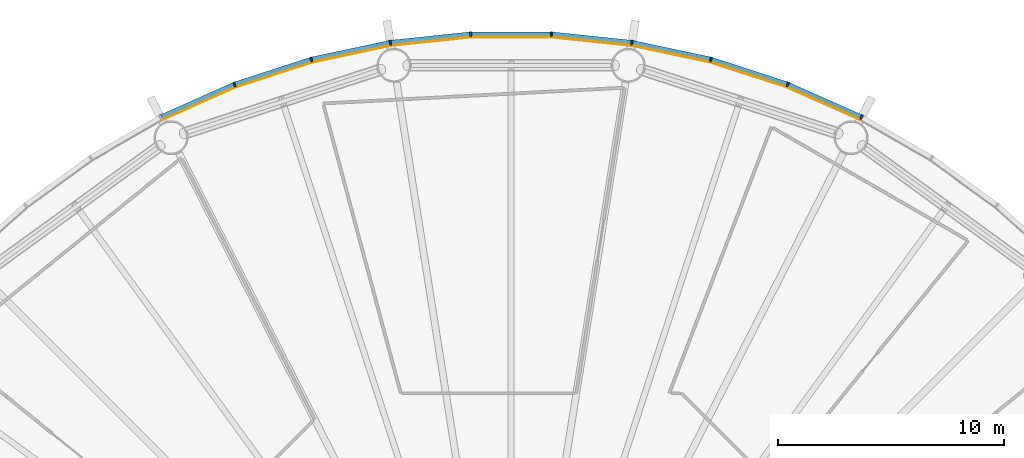
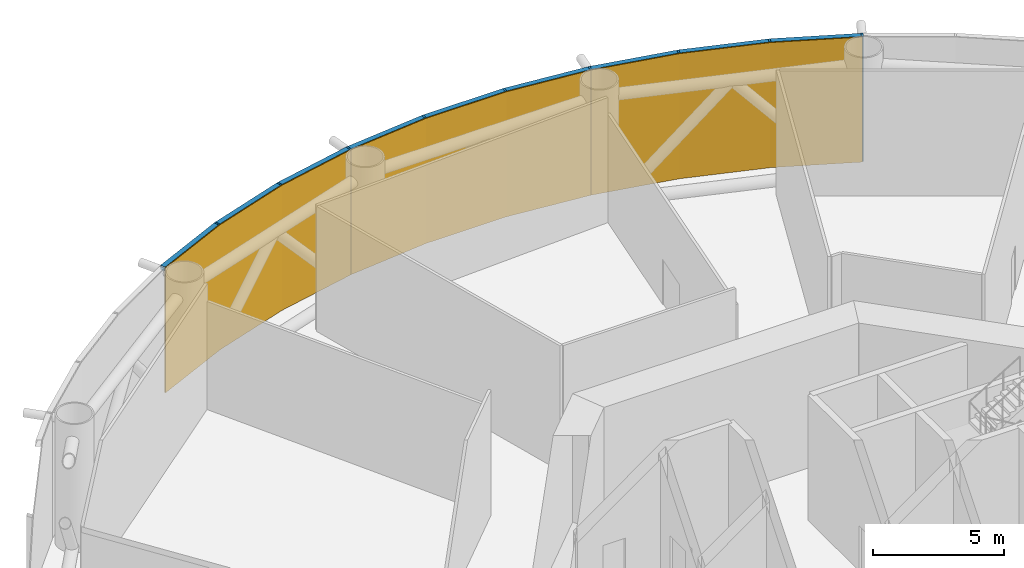
# One storey, part 13 of 14: 18 members, 3 curtain walls.
"""IFC4 building model written with IfcOpenShell, lengths in metres."""

from ifc_helpers import new_model, si_unit, direction, frame, origin, origin_2d, place, context, subcontext, project, spatial, polyline, rectangle, outline, extrude, material, layer, layer_set, material_profile, profile_set, type_object, element, aggregate, save


model = new_model("IFC4")

# Units and contexts
model_context = context("Model", 3, precision=1e-05, world=origin(), true_north=direction((0.0, 1.0)))
body_context = subcontext(model_context, "Body", "Model", "MODEL_VIEW")
ifc_project = project(units=[si_unit("LENGTHUNIT", "METRE"), si_unit("AREAUNIT", "SQUARE_METRE"), si_unit("VOLUMEUNIT", "CUBIC_METRE"), si_unit("PLANEANGLEUNIT", "RADIAN"), si_unit("MASSUNIT", "GRAM", prefix="KILO")], contexts=[model_context])

# Member
ifc_material_1 = material(Name="Anodised aluminium", Category="aluminium")
ifc_material_profile_1 = material_profile(ifc_material_1, rectangle(XDim=0.074951171875, YDim=0.219970703125, at=origin_2d()), Name="Mullion 75 x 220 mm anodised aluminium")
ifc_profile_set_1 = profile_set([ifc_material_profile_1], Name="Anodised aluminium")
member_type_1 = type_object("IfcMemberType", Name="Mullion 75 x 220 mm anodised aluminium", PredefinedType="MULLION", material=ifc_profile_set_1)
site_placement = place(None, origin())
building_placement = place(site_placement, origin())
storey_placement = place(building_placement, frame((0.0, 0.0, 12.0)))
member_1_placement = place(storey_placement, frame((105.485595703125, 110.392333984375, 0.0), z_axis=(0.0, 0.0, 1.0), x_axis=(-0.891006524188, 0.45399049974, 0.0)))
member_1 = element("IfcMember", 1, at=member_1_placement, type_object=member_type_1, Name="MULLION L01-09", PredefinedType="MULLION", context=body_context, shape_type="SweptSolid", body=[
    extrude(rectangle(XDim=0.074951171875, YDim=0.219970703125, at=origin_2d()), origin(), (0.0, 0.0, 1.0), 5.85009765625),
])

member_2_placement = place(storey_placement, frame((102.223876953125, 111.844482421875, 0.0), z_axis=(0.0, 0.0, 1.0), x_axis=(-0.933580426497, 0.358367949545, 0.0)))
member_2 = element("IfcMember", 2, at=member_2_placement, type_object=member_type_1, Name="MULLION L01-10", PredefinedType="MULLION", context=body_context, shape_type="SweptSolid", body=[
    extrude(rectangle(XDim=0.074951171875, YDim=0.219970703125, at=origin_2d()), origin(), (0.0, 0.0, 1.0), 5.85009765625),
])

member_3_placement = place(storey_placement, frame((98.828369140625, 112.94775390625, 0.0), z_axis=(0.0, 0.0, 1.0), x_axis=(-0.965925826289, 0.258819045103, 0.0)))
member_3 = element("IfcMember", 3, at=member_3_placement, type_object=member_type_1, Name="MULLION L01-11", PredefinedType="MULLION", context=body_context, shape_type="SweptSolid", body=[
    extrude(rectangle(XDim=0.074951171875, YDim=0.219970703125, at=origin_2d()), origin(), (0.0, 0.0, 1.0), 5.85009765625),
])

member_4_placement = place(storey_placement, frame((95.3359375, 113.68994140625, 0.0), z_axis=(0.0, 0.0, 1.0), x_axis=(-0.987688340595, 0.15643446504, 0.0)))
member_4 = element("IfcMember", 4, at=member_4_placement, type_object=member_type_1, Name="MULLION L01-12", PredefinedType="MULLION", context=body_context, shape_type="SweptSolid", body=[
    extrude(rectangle(XDim=0.074951171875, YDim=0.219970703125, at=origin_2d()), origin(), (0.0, 0.0, 1.0), 5.85009765625),
])

member_5_placement = place(storey_placement, frame((91.78515625, 114.063232421875, 0.0), z_axis=(0.0, 0.0, 1.0), x_axis=(-0.998629534755, 0.052335956243, 0.0)))
member_5 = element("IfcMember", 5, at=member_5_placement, type_object=member_type_1, Name="MULLION L01-13", PredefinedType="MULLION", context=body_context, shape_type="SweptSolid", body=[
    extrude(rectangle(XDim=0.074951171875, YDim=0.219970703125, at=origin_2d()), origin(), (0.0, 0.0, 1.0), 5.85009765625),
])

member_6_placement = place(storey_placement, frame((88.21484375, 114.063232421875, 0.0), z_axis=(0.0, 0.0, 1.0), x_axis=(-0.998629534755, -0.052335956243, 0.0)))
member_6 = element("IfcMember", 6, at=member_6_placement, type_object=member_type_1, Name="MULLION L01-14", PredefinedType="MULLION", context=body_context, shape_type="SweptSolid", body=[
    extrude(rectangle(XDim=0.074951171875, YDim=0.219970703125, at=origin_2d()), origin(), (0.0, 0.0, 1.0), 5.85009765625),
])

member_7_placement = place(storey_placement, frame((84.6640625, 113.68994140625, 0.0), z_axis=(0.0, 0.0, 1.0), x_axis=(-0.987688340595, -0.15643446504, 0.0)))
member_7 = element("IfcMember", 7, at=member_7_placement, type_object=member_type_1, Name="MULLION L01-15", PredefinedType="MULLION", context=body_context, shape_type="SweptSolid", body=[
    extrude(rectangle(XDim=0.074951171875, YDim=0.219970703125, at=origin_2d()), origin(), (0.0, 0.0, 1.0), 5.85009765625),
])

member_8_placement = place(storey_placement, frame((81.171630859375, 112.94775390625, 0.0), z_axis=(0.0, 0.0, 1.0), x_axis=(-0.965925826289, -0.258819045103, 0.0)))
member_8 = element("IfcMember", 8, at=member_8_placement, type_object=member_type_1, Name="MULLION L01-16", PredefinedType="MULLION", context=body_context, shape_type="SweptSolid", body=[
    extrude(rectangle(XDim=0.074951171875, YDim=0.219970703125, at=origin_2d()), origin(), (0.0, 0.0, 1.0), 5.85009765625),
])

member_9_placement = place(storey_placement, frame((77.776123046875, 111.844482421875, 0.0), z_axis=(0.0, 0.0, 1.0), x_axis=(-0.933580426497, -0.358367949545, 0.0)))
member_9 = element("IfcMember", 9, at=member_9_placement, type_object=member_type_1, Name="MULLION L01-17", PredefinedType="MULLION", context=body_context, shape_type="SweptSolid", body=[
    extrude(rectangle(XDim=0.074951171875, YDim=0.219970703125, at=origin_2d()), origin(), (0.0, 0.0, 1.0), 5.85009765625),
])

ifc_material_2 = material(Name="Anodised aluminium", Category="aluminium")
ifc_material_profile_2 = material_profile(ifc_material_2, rectangle(XDim=0.219970703125, YDim=0.199951171875, at=origin_2d()), Name="Transom 200 x 220 mm anodised aluminium")
ifc_profile_set_2 = profile_set([ifc_material_profile_2], Name="Anodised aluminium")
member_type_2 = type_object("IfcMemberType", Name="Transom 200 x 220 mm anodised aluminium", PredefinedType="USERDEFINED", material=ifc_profile_set_2)
member_10_placement = place(storey_placement, frame((105.446044921875, 110.409912109375, 5.75), z_axis=(-0.913545487371, 0.406736576304, 0.0), x_axis=(-0.406736576304, -0.913545487371, 0.0)))
member_10 = element("IfcMember", 10, at=member_10_placement, type_object=member_type_2, Name="TRANSOM L01-09", ObjectType="TRANSOM", PredefinedType="USERDEFINED", context=body_context, shape_type="SweptSolid", body=[
    extrude(rectangle(XDim=0.219970703125, YDim=0.199951171875, at=origin_2d()), origin(), (0.0, 0.0, 1.0), 3.48388671875),
])

member_11_placement = place(storey_placement, frame((102.182861328125, 111.85791015625, 5.75), z_axis=(-0.951052605696, 0.309029029702, 0.0), x_axis=(-0.309029029702, -0.951052605696, 0.0)))
member_11 = element("IfcMember", 11, at=member_11_placement, type_object=member_type_2, Name="TRANSOM L01-10", ObjectType="TRANSOM", PredefinedType="USERDEFINED", context=body_context, shape_type="SweptSolid", body=[
    extrude(rectangle(XDim=0.219970703125, YDim=0.199951171875, at=origin_2d()), origin(), (0.0, 0.0, 1.0), 3.484130859375),
])

member_12_placement = place(storey_placement, frame((98.7861328125, 112.956787109375, 5.75), z_axis=(-0.978145669426, 0.207920776701, 0.0), x_axis=(-0.207920776701, -0.978145669426, 0.0)))
member_12 = element("IfcMember", 12, at=member_12_placement, type_object=member_type_2, Name="TRANSOM L01-11", ObjectType="TRANSOM", PredefinedType="USERDEFINED", context=body_context, shape_type="SweptSolid", body=[
    extrude(rectangle(XDim=0.219970703125, YDim=0.199951171875, at=origin_2d()), origin(), (0.0, 0.0, 1.0), 3.48388671875),
])

member_13_placement = place(storey_placement, frame((95.29296875, 113.69482421875, 5.75), z_axis=(-0.994526551648, 0.104484152234, 0.0), x_axis=(-0.104484152234, -0.994526551648, 0.0)))
member_13 = element("IfcMember", 13, at=member_13_placement, type_object=member_type_2, Name="TRANSOM L01-12", ObjectType="TRANSOM", PredefinedType="USERDEFINED", context=body_context, shape_type="SweptSolid", body=[
    extrude(rectangle(XDim=0.219970703125, YDim=0.199951171875, at=origin_2d()), origin(), (0.0, 0.0, 1.0), 3.48388671875),
])

member_14_placement = place(storey_placement, frame((91.741943359375, 114.0634765625, 5.75), z_axis=(-1.0, 0.0, 0.0), x_axis=(0.0, -1.0, 0.0)))
member_14 = element("IfcMember", 14, at=member_14_placement, type_object=member_type_2, Name="TRANSOM L01-13", ObjectType="TRANSOM", PredefinedType="USERDEFINED", context=body_context, shape_type="SweptSolid", body=[
    extrude(rectangle(XDim=0.219970703125, YDim=0.199951171875, at=origin_2d()), origin(), (0.0, 0.0, 1.0), 3.48388671875),
])

member_15_placement = place(storey_placement, frame((88.171875, 114.058837890625, 5.75), z_axis=(-0.994526551648, -0.104484152234, 0.0), x_axis=(0.104484152234, -0.994526551648, 0.0)))
member_15 = element("IfcMember", 15, at=member_15_placement, type_object=member_type_2, Name="TRANSOM L01-14", ObjectType="TRANSOM", PredefinedType="USERDEFINED", context=body_context, shape_type="SweptSolid", body=[
    extrude(rectangle(XDim=0.219970703125, YDim=0.199951171875, at=origin_2d()), origin(), (0.0, 0.0, 1.0), 3.48388671875),
])

member_16_placement = place(storey_placement, frame((84.62158203125, 113.68115234375, 5.75), z_axis=(-0.978145669426, -0.207920776701, 0.0), x_axis=(0.207920776701, -0.978145669426, 0.0)))
member_16 = element("IfcMember", 16, at=member_16_placement, type_object=member_type_2, Name="TRANSOM L01-15", ObjectType="TRANSOM", PredefinedType="USERDEFINED", context=body_context, shape_type="SweptSolid", body=[
    extrude(rectangle(XDim=0.219970703125, YDim=0.199951171875, at=origin_2d()), origin(), (0.0, 0.0, 1.0), 3.48388671875),
])

member_17_placement = place(storey_placement, frame((81.130615234375, 112.9345703125, 5.75), z_axis=(-0.951052605696, -0.309029029702, 0.0), x_axis=(0.309029029702, -0.951052605696, 0.0)))
member_17 = element("IfcMember", 17, at=member_17_placement, type_object=member_type_2, Name="TRANSOM L01-16", ObjectType="TRANSOM", PredefinedType="USERDEFINED", context=body_context, shape_type="SweptSolid", body=[
    extrude(rectangle(XDim=0.219970703125, YDim=0.199951171875, at=origin_2d()), origin(), (0.0, 0.0, 1.0), 3.484130859375),
])

member_18_placement = place(storey_placement, frame((77.736572265625, 111.826904296875, 5.75), z_axis=(-0.913545487371, -0.406736576304, 0.0), x_axis=(0.406736576304, -0.913545487371, 0.0)))
member_18 = element("IfcMember", 18, at=member_18_placement, type_object=member_type_2, Name="TRANSOM L01-17", ObjectType="TRANSOM", PredefinedType="USERDEFINED", context=body_context, shape_type="SweptSolid", body=[
    extrude(rectangle(XDim=0.219970703125, YDim=0.199951171875, at=origin_2d()), origin(), (0.0, 0.0, 1.0), 3.48388671875),
])

# Site, building, storey
site = spatial("IfcSite", under=ifc_project, at=site_placement, CompositionType="ELEMENT")
building = spatial("IfcBuilding", under=site, at=building_placement, Name="Entoto Ring Tower", CompositionType="ELEMENT")
storey = spatial("IfcBuildingStorey", under=building, at=storey_placement, Name="L01", CompositionType="ELEMENT", Elevation=12.0)

# Curtain wall
ifc_material_3 = material(Name="Clear low-iron glass", Category="glass")
ifc_layer = layer(ifc_material_3, 0.0400390625)
ifc_layer_set = layer_set([ifc_layer], Name="Clear low-iron glass")
curtain_wall_type = type_object("IfcCurtainWallType", Name="Curtain wall system CW1 glazing 40 mm", PredefinedType="NOTDEFINED", material=ifc_layer_set)
curtain_wall_1_placement = place(storey_placement, origin())
curtain_wall_1 = element("IfcCurtainWall", 19, at=curtain_wall_1_placement, inside=storey, type_object=curtain_wall_type, Name="CW1 L01-04", PredefinedType="NOTDEFINED", context=body_context, shape_type="SweptSolid", body=[
    extrude(outline(polyline([(105.435791015625, 110.294189453125), (102.1845703125, 111.74169921875), (98.7998046875, 112.841552734375), (95.31884765625, 113.581298828125), (95.3125, 113.541748046875), (98.78955078125, 112.802734375), (102.170166015625, 111.704345703125), (105.41748046875, 110.258544921875), (105.435791015625, 110.294189453125)])), origin(), (0.0, 0.0, 1.0), 5.85009765625),
])

aggregate(curtain_wall_1, [member_1, member_2, member_3, member_10, member_11, member_12])

curtain_wall_2_placement = place(storey_placement, origin())
curtain_wall_2 = element("IfcCurtainWall", 20, at=curtain_wall_2_placement, inside=storey, type_object=curtain_wall_type, Name="CW1 L01-05", PredefinedType="NOTDEFINED", context=body_context, shape_type="SweptSolid", body=[
    extrude(outline(polyline([(95.31884765625, 113.581298828125), (91.779541015625, 113.953369140625), (88.220458984375, 113.953369140625), (84.68115234375, 113.581298828125), (84.6875, 113.541748046875), (88.22265625, 113.913330078125), (91.77734375, 113.913330078125), (95.3125, 113.541748046875), (95.31884765625, 113.581298828125)])), origin(), (0.0, 0.0, 1.0), 5.85009765625),
])

aggregate(curtain_wall_2, [member_4, member_5, member_6, member_13, member_14, member_15])

curtain_wall_3_placement = place(storey_placement, origin())
curtain_wall_3 = element("IfcCurtainWall", 21, at=curtain_wall_3_placement, inside=storey, type_object=curtain_wall_type, Name="CW1 L01-06", PredefinedType="NOTDEFINED", context=body_context, shape_type="SweptSolid", body=[
    extrude(outline(polyline([(84.68115234375, 113.581298828125), (81.2001953125, 112.841552734375), (77.8154296875, 111.74169921875), (74.564208984375, 110.294189453125), (74.58251953125, 110.258544921875), (77.829833984375, 111.704345703125), (81.21044921875, 112.802734375), (84.6875, 113.541748046875), (84.68115234375, 113.581298828125)])), origin(), (0.0, 0.0, 1.0), 5.85009765625),
])

aggregate(curtain_wall_3, [member_7, member_8, member_9, member_16, member_17, member_18])

save(model, "model.ifc")
